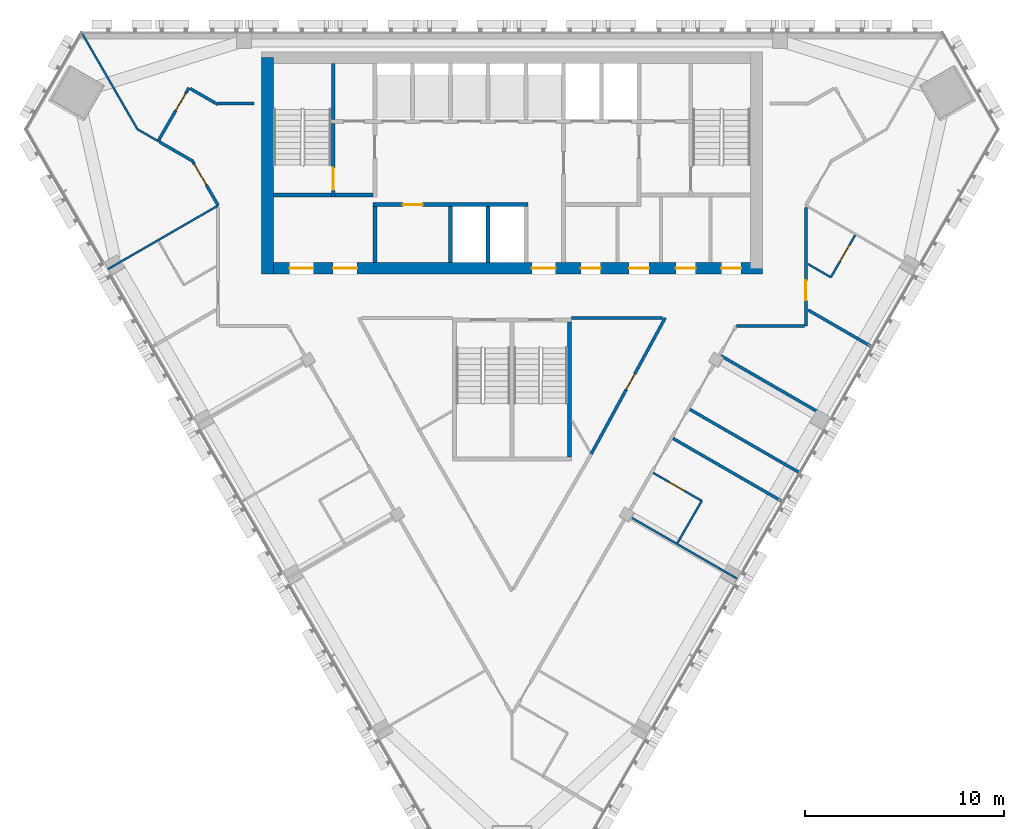
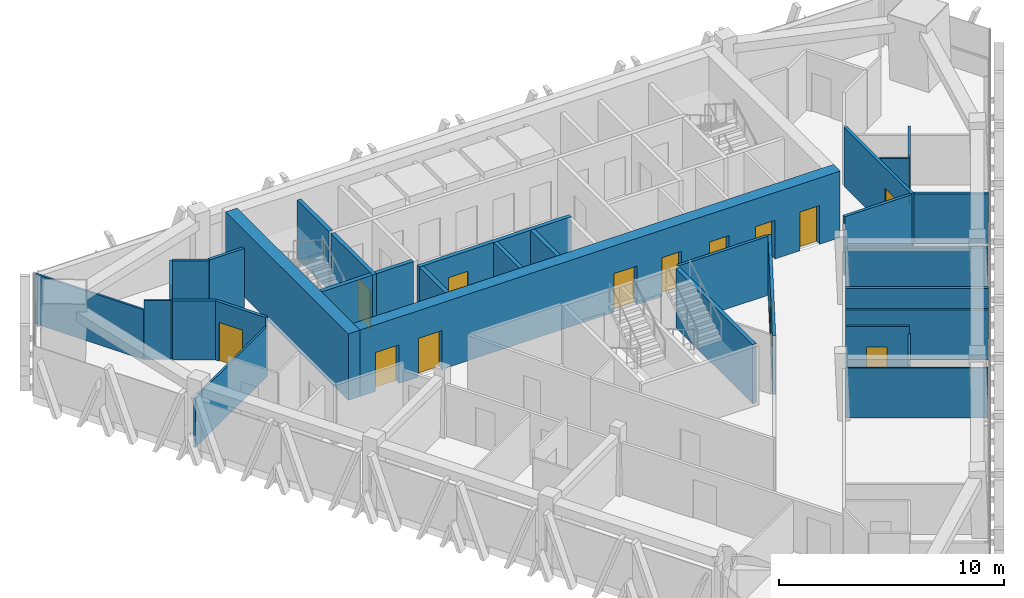
# One storey, part 9 of 14: 32 walls, 15 doors, 15 openings.
"""IFC4 building model written with IfcOpenShell, lengths in metres."""

from ifc_helpers import new_model, si_unit, direction, frame, frame_2d, origin, place, context, subcontext, project, spatial, rectangle, extrude, material, layer, layer_set, type_object, element, fill, save


model = new_model("IFC4")

# Units and contexts
model_context = context("Model", 3, precision=1e-05, world=origin(), true_north=direction((0.0, 1.0)))
body_context = subcontext(model_context, "Body", "Model", "MODEL_VIEW")
ifc_project = project(units=[si_unit("LENGTHUNIT", "METRE"), si_unit("AREAUNIT", "SQUARE_METRE"), si_unit("VOLUMEUNIT", "CUBIC_METRE"), si_unit("PLANEANGLEUNIT", "RADIAN"), si_unit("MASSUNIT", "GRAM", prefix="KILO")], contexts=[model_context])

# Site, building, storey
site_placement = place(None, origin())
site = spatial("IfcSite", under=ifc_project, at=site_placement, CompositionType="ELEMENT")
building_placement = place(site_placement, origin())
building = spatial("IfcBuilding", under=site, at=building_placement, Name="Altiplano Prism Tower", CompositionType="ELEMENT")
storey_placement = place(building_placement, frame((0.0, 0.0, 230.199951171875)))
storey = spatial("IfcBuildingStorey", under=building, at=storey_placement, Name="L59", CompositionType="ELEMENT", Elevation=230.199951171875)

# Wall, openings, doors
ifc_material_1 = material(Name="Concrete C60/75", Category="concrete")
ifc_layer_1 = layer(ifc_material_1, 0.60009765625)
ifc_layer_set_1 = layer_set([ifc_layer_1], Name="Concrete C60/75")
wall_type_1 = type_object("IfcWallType", Name="Core wall 600", PredefinedType="SHEAR", material=ifc_layer_set_1)
wall_1_placement = place(storey_placement, frame((72.699951171875, 93.10009765625, 0.0), z_axis=(0.0, 0.0, 1.0), x_axis=(1.0, 0.0, 0.0)))
wall_1 = element("IfcWall", 1, at=wall_1_placement, inside=storey, type_object=wall_type_1, Name="Core wall S L59", PredefinedType="SHEAR", context=body_context, shape_type="SweptSolid", body=[
    extrude(rectangle(XDim=24.900146484375, YDim=0.60009765625, at=frame_2d((12.4501953125, 0.0))), origin(), (0.0, 0.0, 1.0), 3.60009765625),
])
opening_1_placement = place(wall_1_placement, frame((1.10009765625, 0.0, 0.0)))
opening_1 = element("IfcOpeningElement", 2, at=opening_1_placement, cuts=wall_1, Name="Opening D3404", PredefinedType="OPENING", context=body_context, shape_type="SweptSolid", body=[
    extrude(rectangle(XDim=1.199951171875, YDim=2.10009765625, at=frame_2d((0.60009765625, 1.050048828125))), frame((0.0, 0.310546875, 0.0), z_axis=(0.0, -1.0, 0.0), x_axis=(1.0, 0.0, 0.0)), (0.0, 0.0, 1.0), 0.62109375),
])
opening_2_placement = place(wall_1_placement, frame((3.300048828125, 0.0, 0.0)))
opening_2 = element("IfcOpeningElement", 3, at=opening_2_placement, cuts=wall_1, Name="Opening D3405", PredefinedType="OPENING", context=body_context, shape_type="SweptSolid", body=[
    extrude(rectangle(XDim=1.199951171875, YDim=2.10009765625, at=frame_2d((0.60009765625, 1.050048828125))), frame((0.0, 0.310546875, 0.0), z_axis=(0.0, -1.0, 0.0), x_axis=(1.0, 0.0, 0.0)), (0.0, 0.0, 1.0), 0.62109375),
])
opening_3_placement = place(wall_1_placement, frame((13.300048828125, 0.0, 0.0)))
opening_3 = element("IfcOpeningElement", 4, at=opening_3_placement, cuts=wall_1, Name="Opening D3406", PredefinedType="OPENING", context=body_context, shape_type="SweptSolid", body=[
    extrude(rectangle(XDim=1.199951171875, YDim=2.10009765625, at=frame_2d((0.60009765625, 1.050048828125))), frame((0.0, 0.310546875, 0.0), z_axis=(0.0, -1.0, 0.0), x_axis=(1.0, 0.0, 0.0)), (0.0, 0.0, 1.0), 0.62109375),
])
opening_4_placement = place(wall_1_placement, frame((15.762451171875, 0.0, 0.0)))
opening_4 = element("IfcOpeningElement", 5, at=opening_4_placement, cuts=wall_1, Name="Opening D3409", PredefinedType="OPENING", context=body_context, shape_type="SweptSolid", body=[
    extrude(rectangle(XDim=1.0, YDim=2.10009765625, at=frame_2d((0.5, 1.050048828125))), frame((0.0, 0.310546875, 0.0), z_axis=(0.0, -1.0, 0.0), x_axis=(1.0, 0.0, 0.0)), (0.0, 0.0, 1.0), 0.62109375),
])
opening_5_placement = place(wall_1_placement, frame((18.199951171875, 0.0, 0.0)))
opening_5 = element("IfcOpeningElement", 6, at=opening_5_placement, cuts=wall_1, Name="Opening D3410", PredefinedType="OPENING", context=body_context, shape_type="SweptSolid", body=[
    extrude(rectangle(XDim=1.0, YDim=2.10009765625, at=frame_2d((0.5, 1.050048828125))), frame((0.0, 0.310546875, 0.0), z_axis=(0.0, -1.0, 0.0), x_axis=(1.0, 0.0, 0.0)), (0.0, 0.0, 1.0), 0.62109375),
])
opening_6_placement = place(wall_1_placement, frame((20.550048828125, 0.0, 0.0)))
opening_6 = element("IfcOpeningElement", 7, at=opening_6_placement, cuts=wall_1, Name="Opening D3411", PredefinedType="OPENING", context=body_context, shape_type="SweptSolid", body=[
    extrude(rectangle(XDim=1.0, YDim=2.10009765625, at=frame_2d((0.5, 1.050048828125))), frame((0.0, 0.310546875, 0.0), z_axis=(0.0, -1.0, 0.0), x_axis=(1.0, 0.0, 0.0)), (0.0, 0.0, 1.0), 0.62109375),
])
opening_7_placement = place(wall_1_placement, frame((22.83740234375, 0.0, 0.0)))
opening_7 = element("IfcOpeningElement", 8, at=opening_7_placement, cuts=wall_1, Name="Opening D3412", PredefinedType="OPENING", context=body_context, shape_type="SweptSolid", body=[
    extrude(rectangle(XDim=1.0, YDim=2.10009765625, at=frame_2d((0.5, 1.050048828125))), frame((0.0, 0.310546875, 0.0), z_axis=(0.0, -1.0, 0.0), x_axis=(1.0, 0.0, 0.0)), (0.0, 0.0, 1.0), 0.62109375),
])
ifc_material_2 = material(Name="Fire-rated steel door", Category="steel")
door_type_1 = type_object("IfcDoorType", Name="Core room door 1000 x 2100", OperationType="NOTDEFINED", PredefinedType="NOTDEFINED", material=ifc_material_2)
door_1_placement = place(opening_4_placement, origin())
door_1 = element("IfcDoor", 9, at=door_1_placement, inside=storey, type_object=door_type_1, Name="Core room door D3409", OperationType="SINGLE_SWING_RIGHT", OverallHeight=2.10009765625, OverallWidth=1.0, PredefinedType="NOTDEFINED", context=body_context, shape_type="SweptSolid", body=[
    extrude(rectangle(XDim=1.0, YDim=2.10009765625, at=frame_2d((0.5, 1.050048828125))), frame((0.0, 0.02490234375, 0.0), z_axis=(0.0, -1.0, 0.0), x_axis=(1.0, 0.0, 0.0)), (0.0, 0.0, 1.0), 0.050048828125),
])
fill(opening_4, door_1)
door_2_placement = place(opening_5_placement, origin())
door_2 = element("IfcDoor", 10, at=door_2_placement, inside=storey, type_object=door_type_1, Name="Core room door D3410", OperationType="SINGLE_SWING_LEFT", OverallHeight=2.10009765625, OverallWidth=1.0, PredefinedType="NOTDEFINED", context=body_context, shape_type="SweptSolid", body=[
    extrude(rectangle(XDim=1.0, YDim=2.10009765625, at=frame_2d((0.5, 1.050048828125))), frame((0.0, 0.02490234375, 0.0), z_axis=(0.0, -1.0, 0.0), x_axis=(1.0, 0.0, 0.0)), (0.0, 0.0, 1.0), 0.050048828125),
])
fill(opening_5, door_2)
door_3_placement = place(opening_6_placement, origin())
door_3 = element("IfcDoor", 11, at=door_3_placement, inside=storey, type_object=door_type_1, Name="Core room door D3411", OperationType="SINGLE_SWING_RIGHT", OverallHeight=2.10009765625, OverallWidth=1.0, PredefinedType="NOTDEFINED", context=body_context, shape_type="SweptSolid", body=[
    extrude(rectangle(XDim=1.0, YDim=2.10009765625, at=frame_2d((0.5, 1.050048828125))), frame((0.0, 0.02490234375, 0.0), z_axis=(0.0, -1.0, 0.0), x_axis=(1.0, 0.0, 0.0)), (0.0, 0.0, 1.0), 0.050048828125),
])
fill(opening_6, door_3)
door_4_placement = place(opening_7_placement, origin())
door_4 = element("IfcDoor", 12, at=door_4_placement, inside=storey, type_object=door_type_1, Name="Core room door D3412", OperationType="SINGLE_SWING_LEFT", OverallHeight=2.10009765625, OverallWidth=1.0, PredefinedType="NOTDEFINED", context=body_context, shape_type="SweptSolid", body=[
    extrude(rectangle(XDim=1.0, YDim=2.10009765625, at=frame_2d((0.5, 1.050048828125))), frame((0.0, 0.02490234375, 0.0), z_axis=(0.0, -1.0, 0.0), x_axis=(1.0, 0.0, 0.0)), (0.0, 0.0, 1.0), 0.050048828125),
])
fill(opening_7, door_4)
door_type_2 = type_object("IfcDoorType", Name="Lobby fire door 1200 x 2100", OperationType="NOTDEFINED", PredefinedType="NOTDEFINED", material=ifc_material_2)
door_5_placement = place(opening_1_placement, origin())
door_5 = element("IfcDoor", 13, at=door_5_placement, inside=storey, type_object=door_type_2, Name="Lobby fire door D3404", OperationType="SINGLE_SWING_RIGHT", OverallHeight=2.10009765625, OverallWidth=1.199951171875, PredefinedType="NOTDEFINED", context=body_context, shape_type="SweptSolid", body=[
    extrude(rectangle(XDim=1.199951171875, YDim=2.10009765625, at=frame_2d((0.60009765625, 1.050048828125))), frame((0.0, 0.02490234375, 0.0), z_axis=(0.0, -1.0, 0.0), x_axis=(1.0, 0.0, 0.0)), (0.0, 0.0, 1.0), 0.050048828125),
])
fill(opening_1, door_5)
door_6_placement = place(opening_2_placement, origin())
door_6 = element("IfcDoor", 14, at=door_6_placement, inside=storey, type_object=door_type_2, Name="Lobby fire door D3405", OperationType="SINGLE_SWING_LEFT", OverallHeight=2.10009765625, OverallWidth=1.199951171875, PredefinedType="NOTDEFINED", context=body_context, shape_type="SweptSolid", body=[
    extrude(rectangle(XDim=1.199951171875, YDim=2.10009765625, at=frame_2d((0.60009765625, 1.050048828125))), frame((0.0, 0.02490234375, 0.0), z_axis=(0.0, -1.0, 0.0), x_axis=(1.0, 0.0, 0.0)), (0.0, 0.0, 1.0), 0.050048828125),
])
fill(opening_2, door_6)
door_7_placement = place(opening_3_placement, origin())
door_7 = element("IfcDoor", 15, at=door_7_placement, inside=storey, type_object=door_type_2, Name="Lobby fire door D3406", OperationType="SINGLE_SWING_RIGHT", OverallHeight=2.10009765625, OverallWidth=1.199951171875, PredefinedType="NOTDEFINED", context=body_context, shape_type="SweptSolid", body=[
    extrude(rectangle(XDim=1.199951171875, YDim=2.10009765625, at=frame_2d((0.60009765625, 1.050048828125))), frame((0.0, 0.02490234375, 0.0), z_axis=(0.0, -1.0, 0.0), x_axis=(1.0, 0.0, 0.0)), (0.0, 0.0, 1.0), 0.050048828125),
])
fill(opening_3, door_7)

# Wall
wall_2_placement = place(storey_placement, frame((72.699951171875, 103.699951171875, 0.0), z_axis=(0.0, 0.0, 1.0), x_axis=(0.0, -1.0, 0.0)))
element("IfcWall", 16, at=wall_2_placement, inside=storey, type_object=wall_type_1, Name="Core wall W L59", PredefinedType="SHEAR", context=body_context, shape_type="SweptSolid", body=[
    extrude(rectangle(XDim=10.89990234375, YDim=0.60009765625, at=frame_2d((5.449951171875, 0.0))), origin(), (0.0, 0.0, 1.0), 3.60009765625),
])

# Wall, opening, door
ifc_material_3 = material(Name="Plasterboard on steel stud", Category="steel")
ifc_layer_2 = layer(ifc_material_3, 0.10009765625)
ifc_layer_set_2 = layer_set([ifc_layer_2], Name="Plasterboard on steel stud")
wall_type_2 = type_object("IfcWallType", Name="Partition 100 unit", PredefinedType="PARTITIONING", material=ifc_layer_set_2)
wall_3_placement = place(storey_placement, frame((92.107421875, 82.800537109375, 0.0), z_axis=(0.0, 0.0, 1.0), x_axis=(0.866048868473, -0.499959355765, 0.0)))
wall_3 = element("IfcWall", 17, at=wall_3_placement, inside=storey, type_object=wall_type_2, Name="Partition P02 L59 044", PredefinedType="PARTITIONING", context=body_context, shape_type="SweptSolid", body=[
    extrude(rectangle(XDim=2.824951171875, YDim=0.10009765625, at=frame_2d((1.41259765625, 0.0))), origin(), (0.0, 0.0, 1.0), 3.199951171875),
])
opening_8_placement = place(wall_3_placement, frame((0.925048828125, 0.0, 0.0)))
opening_8 = element("IfcOpeningElement", 18, at=opening_8_placement, cuts=wall_3, Name="Opening D1964", PredefinedType="OPENING", context=body_context, shape_type="SweptSolid", body=[
    extrude(rectangle(XDim=0.89990234375, YDim=2.10009765625, at=frame_2d((0.449951171875, 1.050048828125))), frame((0.0, 0.060546875, 0.0), z_axis=(0.0, -1.0, 0.0), x_axis=(1.0, 0.0, 0.0)), (0.0, 0.0, 1.0), 0.12109375),
])
ifc_material_4 = material(Name="Timber", Category="wood")
door_type_3 = type_object("IfcDoorType", Name="Ensuite door 900 x 2100", OperationType="NOTDEFINED", PredefinedType="NOTDEFINED", material=ifc_material_4)
door_8_placement = place(opening_8_placement, origin())
door_8 = element("IfcDoor", 19, at=door_8_placement, inside=storey, type_object=door_type_3, Name="Door D1964", OperationType="SINGLE_SWING_LEFT", OverallHeight=2.10009765625, OverallWidth=0.89990234375, PredefinedType="NOTDEFINED", context=body_context, shape_type="SweptSolid", body=[
    extrude(rectangle(XDim=0.89990234375, YDim=2.10009765625, at=frame_2d((0.449951171875, 1.050048828125))), frame((0.0, 0.02490234375, 0.0), z_axis=(0.0, -1.0, 0.0), x_axis=(1.0, 0.0, 0.0)), (0.0, 0.0, 1.0), 0.050048828125),
])
fill(opening_8, door_8)

# Wall
wall_4_placement = place(storey_placement, frame((94.553955078125, 81.38818359375, 0.0), z_axis=(0.0, 0.0, 1.0), x_axis=(-0.500018594424, -0.866014668023, 0.0)))
element("IfcWall", 20, at=wall_4_placement, inside=storey, type_object=wall_type_2, Name="Partition P02 L59 045", PredefinedType="PARTITIONING", context=body_context, shape_type="SweptSolid", body=[
    extrude(rectangle(XDim=2.4501953125, YDim=0.10009765625, at=frame_2d((1.22509765625, 0.0))), origin(), (0.0, 0.0, 1.0), 2.800048828125),
])

# Wall, opening, door
wall_5_placement = place(storey_placement, frame((102.27880859375, 94.768310546875, 0.0), z_axis=(0.0, 0.0, 1.0), x_axis=(-0.499943856944, -0.866057815567, 0.0)))
wall_5 = element("IfcWall", 21, at=wall_5_placement, inside=storey, type_object=wall_type_2, Name="Partition P02 L59 050", PredefinedType="PARTITIONING", context=body_context, shape_type="SweptSolid", body=[
    extrude(rectangle(XDim=2.449951171875, YDim=0.10009765625, at=frame_2d((1.22509765625, 0.0))), origin(), (0.0, 0.0, 1.0), 3.199951171875),
])
opening_9_placement = place(wall_5_placement, frame((0.611083984375, 0.0, 0.0)))
opening_9 = element("IfcOpeningElement", 22, at=opening_9_placement, cuts=wall_5, Name="Opening D1969", PredefinedType="OPENING", context=body_context, shape_type="SweptSolid", body=[
    extrude(rectangle(XDim=0.89990234375, YDim=2.10009765625, at=frame_2d((0.449951171875, 1.050048828125))), frame((0.0, 0.060546875, 0.0), z_axis=(0.0, -1.0, 0.0), x_axis=(1.0, 0.0, 0.0)), (0.0, 0.0, 1.0), 0.12109375),
])
door_9_placement = place(opening_9_placement, origin())
door_9 = element("IfcDoor", 23, at=door_9_placement, inside=storey, type_object=door_type_3, Name="Door D1969", OperationType="SINGLE_SWING_RIGHT", OverallHeight=2.10009765625, OverallWidth=0.89990234375, PredefinedType="NOTDEFINED", context=body_context, shape_type="SweptSolid", body=[
    extrude(rectangle(XDim=0.89990234375, YDim=2.10009765625, at=frame_2d((0.449951171875, 1.050048828125))), frame((0.0, 0.02490234375, 0.0), z_axis=(0.0, -1.0, 0.0), x_axis=(1.0, 0.0, 0.0)), (0.0, 0.0, 1.0), 0.050048828125),
])
fill(opening_9, door_9)

# Walls
wall_6_placement = place(storey_placement, frame((101.053955078125, 92.646484375, 0.0), z_axis=(0.0, 0.0, 1.0), x_axis=(-0.866036091453, 0.499981487958, 0.0)))
element("IfcWall", 24, at=wall_6_placement, inside=storey, type_object=wall_type_2, Name="Partition P02 L59 051", PredefinedType="PARTITIONING", context=body_context, shape_type="SweptSolid", body=[
    extrude(rectangle(XDim=1.33251953125, YDim=0.10009765625, at=frame_2d((0.666259765625, 0.0))), origin(), (0.0, 0.0, 1.0), 3.199951171875),
])
ifc_layer_3 = layer(ifc_material_3, 0.10009765625)
ifc_layer_set_3 = layer_set([ifc_layer_3], Name="Plasterboard on steel stud")
wall_type_3 = type_object("IfcWallType", Name="Partition 100 wet", PredefinedType="PARTITIONING", material=ifc_layer_set_3)
wall_7_placement = place(storey_placement, frame((64.6650390625, 93.0615234375, 0.0), z_axis=(0.0, 0.0, 1.0), x_axis=(0.866027189425, 0.499996907167, 0.0)))
element("IfcWall", 25, at=wall_7_placement, inside=storey, type_object=wall_type_3, Name="Partition P03 L59 025", PredefinedType="PARTITIONING", context=body_context, shape_type="SweptSolid", body=[
    extrude(rectangle(XDim=6.39111328125, YDim=0.10009765625, at=frame_2d((3.195556640625, 0.0))), origin(), (0.0, 0.0, 1.0), 2.699951171875),
])
wall_8_placement = place(storey_placement, frame((67.182373046875, 99.50048828125, 0.0), z_axis=(0.0, 0.0, 1.0), x_axis=(-0.86599977965, 0.500044379676, 0.0)))
element("IfcWall", 26, at=wall_8_placement, inside=storey, type_object=wall_type_3, Name="Partition P03 L59 026", PredefinedType="PARTITIONING", context=body_context, shape_type="SweptSolid", body=[
    extrude(rectangle(XDim=1.20361328125, YDim=0.10009765625, at=frame_2d((0.601806640625, 0.0))), origin(), (0.0, 0.0, 1.0), 3.199951171875),
])
wall_9_placement = place(storey_placement, frame((66.14013671875, 100.102294921875, 0.0), z_axis=(0.0, 0.0, 1.0), x_axis=(-0.50001619095, 0.866016055733, 0.0)))
element("IfcWall", 27, at=wall_9_placement, inside=storey, type_object=wall_type_3, Name="Partition P03 L59 027", PredefinedType="PARTITIONING", context=body_context, shape_type="SweptSolid", body=[
    extrude(rectangle(XDim=5.539794921875, YDim=0.10009765625, at=frame_2d((2.77001953125, 0.0))), origin(), (0.0, 0.0, 1.0), 2.699951171875),
])
wall_10_placement = place(storey_placement, frame((96.3349609375, 77.47314453125, 0.0), z_axis=(0.0, 0.0, 1.0), x_axis=(-0.866032601554, 0.49998753289, 0.0)))
element("IfcWall", 28, at=wall_10_placement, inside=storey, type_object=wall_type_3, Name="Partition P03 L59 043", PredefinedType="PARTITIONING", context=body_context, shape_type="SweptSolid", body=[
    extrude(rectangle(XDim=6.324951171875, YDim=0.10009765625, at=frame_2d((3.16259765625, 0.0))), origin(), (0.0, 0.0, 1.0), 2.699951171875),
])
ifc_layer_4 = layer(ifc_material_3, 0.14990234375)
ifc_layer_set_4 = layer_set([ifc_layer_4], Name="Plasterboard on steel stud")
wall_type_4 = type_object("IfcWallType", Name="Partition 150 corridor", PredefinedType="PARTITIONING", material=ifc_layer_set_4)
wall_11_placement = place(storey_placement, frame((88.0, 90.60009765625, 0.0), z_axis=(0.0, 0.0, 1.0), x_axis=(1.0, 0.0, 0.0)))
element("IfcWall", 29, at=wall_11_placement, inside=storey, type_object=wall_type_4, Name="Partition P06 L59 003", PredefinedType="PARTITIONING", context=body_context, shape_type="SweptSolid", body=[
    extrude(rectangle(XDim=4.587158203125, YDim=0.14990234375, at=frame_2d((2.29345703125, 0.0))), origin(), (0.0, 0.0, 1.0), 3.199951171875),
])

# Wall, opening, door
wall_12_placement = place(storey_placement, frame((92.713134765625, 90.60009765625, 0.0), z_axis=(0.0, 0.0, 1.0), x_axis=(-0.477707883021, -0.87851874112, 0.0)))
wall_12 = element("IfcWall", 30, at=wall_12_placement, inside=storey, type_object=wall_type_4, Name="Partition P06 L59 004", PredefinedType="PARTITIONING", context=body_context, shape_type="SweptSolid", body=[
    extrude(rectangle(XDim=7.791259765625, YDim=0.14990234375, at=frame_2d((3.8955078125, 0.0))), origin(), (0.0, 0.0, 1.0), 3.199951171875),
])
opening_10_placement = place(wall_12_placement, frame((3.2109375, 0.0, 0.0)))
opening_10 = element("IfcOpeningElement", 31, at=opening_10_placement, cuts=wall_12, Name="Opening D1949", PredefinedType="OPENING", context=body_context, shape_type="SweptSolid", body=[
    extrude(rectangle(XDim=0.89990234375, YDim=2.10009765625, at=frame_2d((0.449951171875, 1.050048828125))), frame((0.0, 0.08544921875, 0.0), z_axis=(0.0, -1.0, 0.0), x_axis=(1.0, 0.0, 0.0)), (0.0, 0.0, 1.0), 0.1708984375),
])
door_type_4 = type_object("IfcDoorType", Name="Toilet door 900 x 2100", OperationType="NOTDEFINED", PredefinedType="NOTDEFINED", material=ifc_material_4)
door_10_placement = place(opening_10_placement, origin())
door_10 = element("IfcDoor", 32, at=door_10_placement, inside=storey, type_object=door_type_4, Name="Door D1949", OperationType="SINGLE_SWING_RIGHT", OverallHeight=2.10009765625, OverallWidth=0.89990234375, PredefinedType="NOTDEFINED", context=body_context, shape_type="SweptSolid", body=[
    extrude(rectangle(XDim=0.89990234375, YDim=2.10009765625, at=frame_2d((0.449951171875, 1.050048828125))), frame((0.0, 0.02490234375, 0.0), z_axis=(0.0, -1.0, 0.0), x_axis=(1.0, 0.0, 0.0)), (0.0, 0.0, 1.0), 0.050048828125),
])
fill(opening_10, door_10)

# Wall
wall_13_placement = place(storey_placement, frame((67.247314453125, 99.462890625, 0.0), z_axis=(0.0, 0.0, 1.0), x_axis=(0.86605048973, -0.49995654735, 0.0)))
element("IfcWall", 33, at=wall_13_placement, inside=storey, type_object=wall_type_4, Name="Partition P06 L59 007", PredefinedType="PARTITIONING", context=body_context, shape_type="SweptSolid", body=[
    extrude(rectangle(XDim=1.926025390625, YDim=0.14990234375, at=frame_2d((0.962890625, 0.0))), origin(), (0.0, 0.0, 1.0), 3.199951171875),
])

# Wall, opening, door
wall_14_placement = place(storey_placement, frame((68.915283203125, 98.5, 0.0), z_axis=(0.0, 0.0, 1.0), x_axis=(0.499948666432, -0.866055039205, 0.0)))
wall_14 = element("IfcWall", 34, at=wall_14_placement, inside=storey, type_object=wall_type_4, Name="Partition P06 L59 008", PredefinedType="PARTITIONING", context=body_context, shape_type="SweptSolid", body=[
    extrude(rectangle(XDim=2.584716796875, YDim=0.14990234375, at=frame_2d((1.29248046875, 0.0))), origin(), (0.0, 0.0, 1.0), 3.199951171875),
])
opening_11_placement = place(wall_14_placement, frame((0.199951171875, 0.0, 0.0)))
opening_11 = element("IfcOpeningElement", 35, at=opening_11_placement, cuts=wall_14, Name="Opening D1951", PredefinedType="OPENING", context=body_context, shape_type="SweptSolid", body=[
    extrude(rectangle(XDim=1.199951171875, YDim=2.10009765625, at=frame_2d((0.60009765625, 1.050048828125))), frame((0.0, 0.08544921875, 0.0), z_axis=(0.0, -1.0, 0.0), x_axis=(1.0, 0.0, 0.0)), (0.0, 0.0, 1.0), 0.1708984375),
])
door_type_5 = type_object("IfcDoorType", Name="Shared room door 1200 x 2100", OperationType="NOTDEFINED", PredefinedType="NOTDEFINED", material=ifc_material_4)
door_11_placement = place(opening_11_placement, origin())
door_11 = element("IfcDoor", 36, at=door_11_placement, inside=storey, type_object=door_type_5, Name="Door D1951", OperationType="SINGLE_SWING_RIGHT", OverallHeight=2.10009765625, OverallWidth=1.199951171875, PredefinedType="NOTDEFINED", context=body_context, shape_type="SweptSolid", body=[
    extrude(rectangle(XDim=1.199951171875, YDim=2.10009765625, at=frame_2d((0.60009765625, 1.050048828125))), frame((0.0, 0.02490234375, 0.0), z_axis=(0.0, -1.0, 0.0), x_axis=(1.0, 0.0, 0.0)), (0.0, 0.0, 1.0), 0.050048828125),
])
fill(opening_11, door_11)

# Wall
wall_15_placement = place(storey_placement, frame((96.292724609375, 90.199951171875, 0.0), z_axis=(0.0, 0.0, 1.0), x_axis=(1.0, 0.0, 0.0)))
element("IfcWall", 37, at=wall_15_placement, inside=storey, type_object=wall_type_4, Name="Partition P06 L59 013", PredefinedType="PARTITIONING", context=body_context, shape_type="SweptSolid", body=[
    extrude(rectangle(XDim=3.432373046875, YDim=0.14990234375, at=frame_2d((1.71630859375, 0.0))), origin(), (0.0, 0.0, 1.0), 3.199951171875),
])

# Wall, opening, door
wall_16_placement = place(storey_placement, frame((99.800048828125, 90.199951171875, 0.0), z_axis=(0.0, 0.0, 1.0), x_axis=(0.0, 1.0, 0.0)))
wall_16 = element("IfcWall", 38, at=wall_16_placement, inside=storey, type_object=wall_type_4, Name="Partition P06 L59 014", PredefinedType="PARTITIONING", context=body_context, shape_type="SweptSolid", body=[
    extrude(rectangle(XDim=5.9560546875, YDim=0.14990234375, at=frame_2d((2.97802734375, 0.0))), origin(), (0.0, 0.0, 1.0), 3.199951171875),
])
opening_12_placement = place(wall_16_placement, frame((1.2880859375, 0.0, 0.0)))
opening_12 = element("IfcOpeningElement", 39, at=opening_12_placement, cuts=wall_16, Name="Opening D1968", PredefinedType="OPENING", context=body_context, shape_type="SweptSolid", body=[
    extrude(rectangle(XDim=1.0, YDim=2.10009765625, at=frame_2d((0.5, 1.050048828125))), frame((0.0, 0.08544921875, 0.0), z_axis=(0.0, -1.0, 0.0), x_axis=(1.0, 0.0, 0.0)), (0.0, 0.0, 1.0), 0.1708984375),
])
door_type_6 = type_object("IfcDoorType", Name="Bedroom entrance door 1000 x 2100", OperationType="NOTDEFINED", PredefinedType="NOTDEFINED", material=ifc_material_4)
door_12_placement = place(opening_12_placement, origin())
door_12 = element("IfcDoor", 40, at=door_12_placement, inside=storey, type_object=door_type_6, Name="Door D1968", OperationType="SINGLE_SWING_LEFT", OverallHeight=2.10009765625, OverallWidth=1.0, PredefinedType="NOTDEFINED", context=body_context, shape_type="SweptSolid", body=[
    extrude(rectangle(XDim=1.0, YDim=2.10009765625, at=frame_2d((0.5, 1.050048828125))), frame((0.0, 0.02490234375, 0.0), z_axis=(0.0, -1.0, 0.0), x_axis=(1.0, 0.0, 0.0)), (0.0, 0.0, 1.0), 0.050048828125),
])
fill(opening_12, door_12)

# Walls
wall_17_placement = place(storey_placement, frame((72.0, 101.40087890625, 0.0), z_axis=(0.0, 0.0, 1.0), x_axis=(-1.0, 0.0, 0.0)))
element("IfcWall", 41, at=wall_17_placement, inside=storey, type_object=wall_type_4, Name="Partition P06 L59 017", PredefinedType="PARTITIONING", context=body_context, shape_type="SweptSolid", body=[
    extrude(rectangle(XDim=1.800048828125, YDim=0.14990234375, at=frame_2d((0.89990234375, 0.0))), origin(), (0.0, 0.0, 1.0), 3.199951171875),
])
wall_18_placement = place(storey_placement, frame((70.185791015625, 101.34716796875, 0.0), z_axis=(0.0, 0.0, 1.0), x_axis=(-0.866106948778, 0.499858733323, 0.0)))
element("IfcWall", 42, at=wall_18_placement, inside=storey, type_object=wall_type_4, Name="Partition P06 L59 018", PredefinedType="PARTITIONING", context=body_context, shape_type="SweptSolid", body=[
    extrude(rectangle(XDim=1.6025390625, YDim=0.14990234375, at=frame_2d((0.80126953125, 0.0))), origin(), (0.0, 0.0, 1.0), 3.199951171875),
])

# Wall, opening, door
wall_19_placement = place(storey_placement, frame((68.73291015625, 102.185546875, 0.0), z_axis=(0.0, 0.0, 1.0), x_axis=(-0.50007687212, -0.865981017096, 0.0)))
wall_19 = element("IfcWall", 43, at=wall_19_placement, inside=storey, type_object=wall_type_4, Name="Partition P06 L59 019", PredefinedType="PARTITIONING", context=body_context, shape_type="SweptSolid", body=[
    extrude(rectangle(XDim=3.1005859375, YDim=0.14990234375, at=frame_2d((1.55029296875, 0.0))), origin(), (0.0, 0.0, 1.0), 3.199951171875),
])
opening_13_placement = place(wall_19_placement, frame((0.324951171875, 0.0, 0.0)))
opening_13 = element("IfcOpeningElement", 44, at=opening_13_placement, cuts=wall_19, Name="Opening D1971", PredefinedType="OPENING", context=body_context, shape_type="SweptSolid", body=[
    extrude(rectangle(XDim=1.0, YDim=2.10009765625, at=frame_2d((0.5, 1.050048828125))), frame((0.0, 0.08544921875, 0.0), z_axis=(0.0, -1.0, 0.0), x_axis=(1.0, 0.0, 0.0)), (0.0, 0.0, 1.0), 0.1708984375),
])
door_type_7 = type_object("IfcDoorType", Name="Room door 1000 x 2100", OperationType="NOTDEFINED", PredefinedType="NOTDEFINED", material=ifc_material_4)
door_13_placement = place(opening_13_placement, origin())
door_13 = element("IfcDoor", 45, at=door_13_placement, inside=storey, type_object=door_type_7, Name="Door D1971", OperationType="SINGLE_SWING_RIGHT", OverallHeight=2.10009765625, OverallWidth=1.0, PredefinedType="NOTDEFINED", context=body_context, shape_type="SweptSolid", body=[
    extrude(rectangle(XDim=1.0, YDim=2.10009765625, at=frame_2d((0.5, 1.050048828125))), frame((0.0, 0.02490234375, 0.0), z_axis=(0.0, -1.0, 0.0), x_axis=(1.0, 0.0, 0.0)), (0.0, 0.0, 1.0), 0.050048828125),
])
fill(opening_13, door_13)

# Walls
ifc_layer_5 = layer(ifc_material_3, 0.14990234375)
ifc_layer_set_5 = layer_set([ifc_layer_5], Name="Plasterboard on steel stud")
wall_type_5 = type_object("IfcWallType", Name="Partition 150 party", PredefinedType="PARTITIONING", material=ifc_layer_set_5)
for number, where, z_axis, x_axis, name in (
    (46, (98.6025390625, 81.360107421875, 0.0), (0.0, 0.0, 1.0), (-0.866025401434, 0.500000004071, 0.0), "Partition P01 L59 046"),
    (47, (99.447509765625, 82.823974609375, 0.0), (0.0, 0.0, 1.0), (-0.866025401434, 0.500000004071, 0.0), "Partition P01 L59 047"),
):
    element("IfcWall", number, at=place(storey_placement, frame(where, z_axis=z_axis, x_axis=x_axis)), inside=storey, type_object=wall_type_5, Name=name, PredefinedType="PARTITIONING", context=body_context, shape_type="SweptSolid", body=[
        extrude(rectangle(XDim=6.34521484375, YDim=0.14990234375, at=frame_2d((3.172607421875, 0.0))), origin(), (0.0, 0.0, 1.0), 2.699951171875),
    ])
wall_20_placement = place(storey_placement, frame((100.989013671875, 85.5341796875, 0.0), z_axis=(0.0, 0.0, 1.0), x_axis=(-0.866015887322, 0.500016482634, 0.0)))
element("IfcWall", 48, at=wall_20_placement, inside=storey, type_object=wall_type_5, Name="Partition P01 L59 048", PredefinedType="PARTITIONING", context=body_context, shape_type="SweptSolid", body=[
    extrude(rectangle(XDim=6.324951171875, YDim=0.14990234375, at=frame_2d((3.16259765625, 0.0))), origin(), (0.0, 0.0, 1.0), 2.699951171875),
])
wall_21_placement = place(storey_placement, frame((103.1025390625, 89.154296875, 0.0), z_axis=(0.0, 0.0, 1.0), x_axis=(-0.866015605892, 0.500016970063, 0.0)))
element("IfcWall", 49, at=wall_21_placement, inside=storey, type_object=wall_type_5, Name="Partition P01 L59 049", PredefinedType="PARTITIONING", context=body_context, shape_type="SweptSolid", body=[
    extrude(rectangle(XDim=3.683349609375, YDim=0.14990234375, at=frame_2d((1.841796875, 0.0))), origin(), (0.0, 0.0, 1.0), 2.699951171875),
])
ifc_layer_6 = layer(ifc_material_1, 0.199951171875)
ifc_layer_set_6 = layer_set([ifc_layer_6], Name="Concrete C60/75")
wall_type_6 = type_object("IfcWallType", Name="Shaft wall 200", PredefinedType="SOLIDWALL", material=ifc_layer_set_6)
for number, where, z_axis, x_axis, name in (
    (50, (81.89990234375, 93.39990234375, 0.0), (0.0, 0.0, 1.0), (0.0, 1.0, 0.0), "Shaft wall L59"),
    (51, (83.800048828125, 93.39990234375, 0.0), (0.0, 0.0, 1.0), (0.0, 1.0, 0.0), "Shaft wall L59"),
):
    element("IfcWall", number, at=place(storey_placement, frame(where, z_axis=z_axis, x_axis=x_axis)), inside=storey, type_object=wall_type_6, Name=name, PredefinedType="SOLIDWALL", context=body_context, shape_type="SweptSolid", body=[
        extrude(rectangle(XDim=2.800048828125, YDim=0.199951171875, at=frame_2d((1.39990234375, 0.0))), origin(), (0.0, 0.0, 1.0), 3.199951171875),
    ])

# Wall, opening, door
wall_22_placement = place(storey_placement, frame((78.0, 96.300048828125, 0.0), z_axis=(0.0, 0.0, 1.0), x_axis=(1.0, 0.0, 0.0)))
wall_22 = element("IfcWall", 52, at=wall_22_placement, inside=storey, type_object=wall_type_6, Name="Shaft wall L59", PredefinedType="SOLIDWALL", context=body_context, shape_type="SweptSolid", body=[
    extrude(rectangle(XDim=7.800048828125, YDim=0.199951171875, at=frame_2d((3.89990234375, 0.0))), origin(), (0.0, 0.0, 1.0), 3.199951171875),
])
opening_14_placement = place(wall_22_placement, frame((1.5, 0.0, 0.0)))
opening_14 = element("IfcOpeningElement", 53, at=opening_14_placement, cuts=wall_22, Name="Opening D3413", PredefinedType="OPENING", context=body_context, shape_type="SweptSolid", body=[
    extrude(rectangle(XDim=1.0, YDim=2.10009765625, at=frame_2d((0.5, 1.050048828125))), frame((0.0, 0.1103515625, 0.0), z_axis=(0.0, -1.0, 0.0), x_axis=(1.0, 0.0, 0.0)), (0.0, 0.0, 1.0), 0.220947265625),
])
door_14_placement = place(opening_14_placement, origin())
door_14 = element("IfcDoor", 54, at=door_14_placement, inside=storey, type_object=door_type_1, Name="Core room door D3413", OperationType="SINGLE_SWING_RIGHT", OverallHeight=2.10009765625, OverallWidth=1.0, PredefinedType="NOTDEFINED", context=body_context, shape_type="SweptSolid", body=[
    extrude(rectangle(XDim=1.0, YDim=2.10009765625, at=frame_2d((0.5, 1.050048828125))), frame((0.0, 0.02490234375, 0.0), z_axis=(0.0, -1.0, 0.0), x_axis=(1.0, 0.0, 0.0)), (0.0, 0.0, 1.0), 0.050048828125),
])
fill(opening_14, door_14)

# Wall
ifc_layer_7 = layer(ifc_material_1, 0.199951171875)
ifc_layer_set_7 = layer_set([ifc_layer_7], Name="Concrete C60/75")
wall_type_7 = type_object("IfcWallType", Name="Stair wall 200", PredefinedType="SOLIDWALL", material=ifc_layer_set_7)
wall_23_placement = place(storey_placement, frame((73.0, 96.800048828125, 0.0), z_axis=(0.0, 0.0, 1.0), x_axis=(1.0, 0.0, 0.0)))
element("IfcWall", 55, at=wall_23_placement, inside=storey, type_object=wall_type_7, Name="Stair wall L59", PredefinedType="SOLIDWALL", context=body_context, shape_type="SweptSolid", body=[
    extrude(rectangle(XDim=2.89990234375, YDim=0.199951171875, at=frame_2d((1.449951171875, 0.0))), origin(), (0.0, 0.0, 1.0), 3.199951171875),
])

# Wall, opening, door
wall_24_placement = place(storey_placement, frame((76.0, 96.699951171875, 0.0), z_axis=(0.0, 0.0, 1.0), x_axis=(0.0, 1.0, 0.0)))
wall_24 = element("IfcWall", 56, at=wall_24_placement, inside=storey, type_object=wall_type_7, Name="Stair wall L59", PredefinedType="SOLIDWALL", context=body_context, shape_type="SweptSolid", body=[
    extrude(rectangle(XDim=3.699951171875, YDim=0.199951171875, at=frame_2d((1.85009765625, 0.0))), origin(), (0.0, 0.0, 1.0), 3.199951171875),
])
opening_15_placement = place(wall_24_placement, frame((0.35009765625, 0.0, 0.0)))
opening_15 = element("IfcOpeningElement", 57, at=opening_15_placement, cuts=wall_24, Name="Opening D3399", PredefinedType="OPENING", context=body_context, shape_type="SweptSolid", body=[
    extrude(rectangle(XDim=1.10009765625, YDim=2.10009765625, at=frame_2d((0.550048828125, 1.050048828125))), frame((0.0, 0.1103515625, 0.0), z_axis=(0.0, -1.0, 0.0), x_axis=(1.0, 0.0, 0.0)), (0.0, 0.0, 1.0), 0.220947265625),
])
door_type_8 = type_object("IfcDoorType", Name="Stair fire door 1100 x 2100", OperationType="NOTDEFINED", PredefinedType="NOTDEFINED", material=ifc_material_2)
door_15_placement = place(opening_15_placement, origin())
door_15 = element("IfcDoor", 58, at=door_15_placement, inside=storey, type_object=door_type_8, Name="Stair fire door D3399", OperationType="SINGLE_SWING_RIGHT", OverallHeight=2.10009765625, OverallWidth=1.10009765625, PredefinedType="NOTDEFINED", context=body_context, shape_type="SweptSolid", body=[
    extrude(rectangle(XDim=1.10009765625, YDim=2.10009765625, at=frame_2d((0.550048828125, 1.050048828125))), frame((0.0, 0.02490234375, 0.0), z_axis=(0.0, -1.0, 0.0), x_axis=(1.0, 0.0, 0.0)), (0.0, 0.0, 1.0), 0.050048828125),
])
fill(opening_15, door_15)

# Walls
wall_25_placement = place(storey_placement, frame((76.0, 100.60009765625, 0.0), z_axis=(0.0, 0.0, 1.0), x_axis=(0.0, 1.0, 0.0)))
element("IfcWall", 59, at=wall_25_placement, inside=storey, type_object=wall_type_7, Name="Stair wall L59", PredefinedType="SOLIDWALL", context=body_context, shape_type="SweptSolid", body=[
    extrude(rectangle(XDim=2.7998046875, YDim=0.199951171875, at=frame_2d((1.39990234375, 0.0))), origin(), (0.0, 0.0, 1.0), 3.199951171875),
])
wall_26_placement = place(storey_placement, frame((87.89990234375, 83.60009765625, 0.0), z_axis=(0.0, 0.0, 1.0), x_axis=(0.0, 1.0, 0.0)))
element("IfcWall", 60, at=wall_26_placement, inside=storey, type_object=wall_type_7, Name="Stair 3 wall east L59", PredefinedType="SOLIDWALL", context=body_context, shape_type="SweptSolid", body=[
    extrude(rectangle(XDim=6.7998046875, YDim=0.199951171875, at=frame_2d((3.39990234375, 0.0))), origin(), (0.0, 0.0, 1.0), 3.199951171875),
])
ifc_layer_8 = layer(ifc_material_1, 0.199951171875)
ifc_layer_set_8 = layer_set([ifc_layer_8], Name="Concrete C60/75")
wall_type_8 = type_object("IfcWallType", Name="Vestibule wall 200", PredefinedType="PARTITIONING", material=ifc_layer_set_8)
wall_27_placement = place(storey_placement, frame((78.10009765625, 93.39990234375, 0.0), z_axis=(0.0, 0.0, 1.0), x_axis=(0.0, 1.0, 0.0)))
element("IfcWall", 61, at=wall_27_placement, inside=storey, type_object=wall_type_8, Name="Vestibule wall L59", PredefinedType="PARTITIONING", context=body_context, shape_type="SweptSolid", body=[
    extrude(rectangle(XDim=2.800048828125, YDim=0.199951171875, at=frame_2d((1.39990234375, 0.0))), origin(), (0.0, 0.0, 1.0), 3.199951171875),
])
wall_28_placement = place(storey_placement, frame((76.10009765625, 96.800048828125, 0.0), z_axis=(0.0, 0.0, 1.0), x_axis=(1.0, 0.0, 0.0)))
element("IfcWall", 62, at=wall_28_placement, inside=storey, type_object=wall_type_8, Name="Vestibule wall L59", PredefinedType="PARTITIONING", context=body_context, shape_type="SweptSolid", body=[
    extrude(rectangle(XDim=1.89990234375, YDim=0.199951171875, at=frame_2d((0.949951171875, 0.0))), origin(), (0.0, 0.0, 1.0), 3.199951171875),
])

save(model, "model.ifc")
